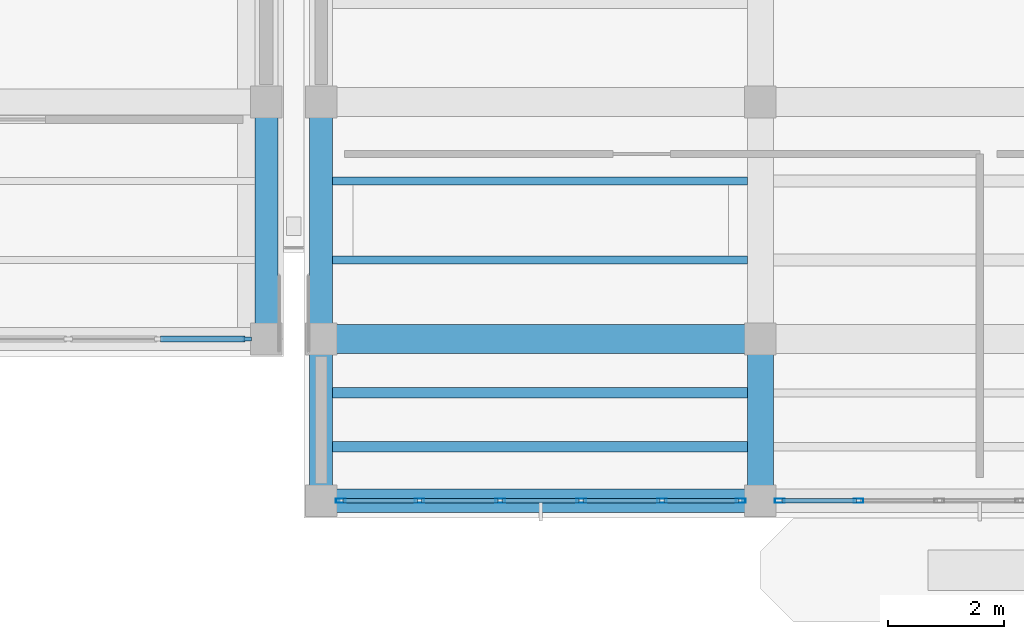
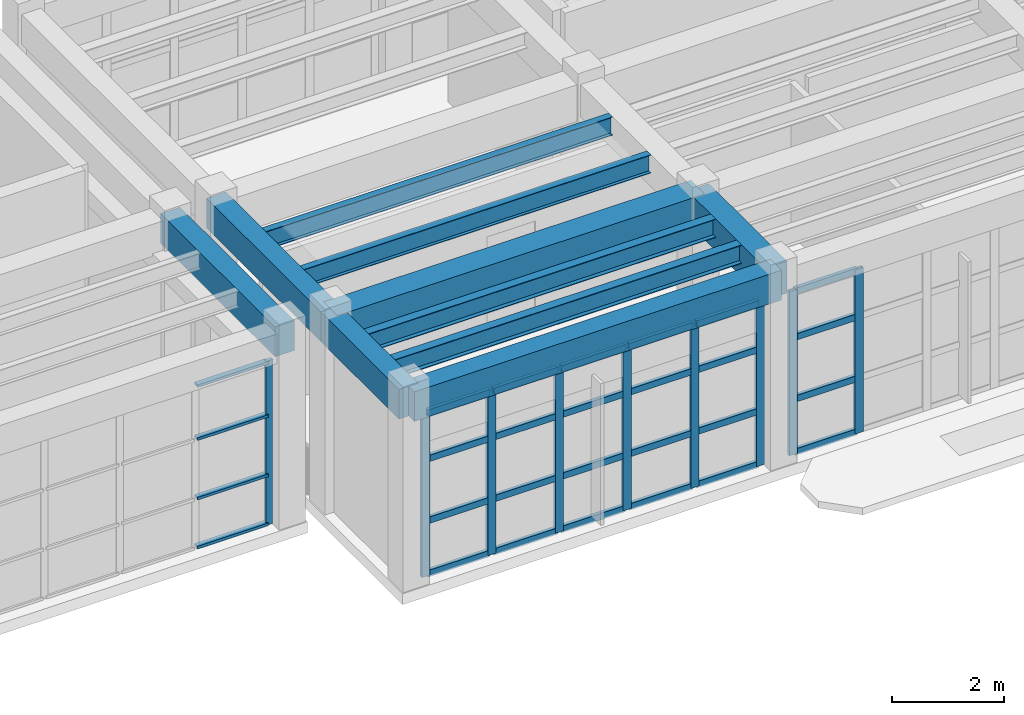
# One storey, part 21 of 85: 37 members, 10 beams, 3 elements without a shape of their own.
"""IFC4 building model written with IfcOpenShell, lengths in metres."""

import ifcopenshell
import ifcopenshell.guid

model = None  # the IFC model being written
_history = None  # IfcOwnerHistory: only IFC2X3 demands one
_inside = {}  # id of a spatial element -> (the spatial element, [elements in it])
_under = {}  # id of a project, library or spatial element -> (it, [spatial elements below it])
_declared = {}  # id of a project -> (the project, [libraries it declares])
_typed = {}  # id of a type object -> (the type object, [elements of that type])
_made_of = {}  # id of a material, layer set ... -> (it, [elements and type objects made of it])


def new_model(schema):
    """Start an empty IFC model of exactly this schema.

    Asked for "IFC4X3", IfcOpenShell would pick the latest addendum, in which some entities
    have other attributes; the version numbers below select the first issue.
    IFC2X3 requires an IfcOwnerHistory on every rooted entity: one is made here for all.
    """
    global model, _history
    if schema == "IFC4X3":
        model = ifcopenshell.file(schema_version=(4, 3, 0, 0))
    else:
        model = ifcopenshell.file(schema=schema)
    _inside.clear()
    _under.clear()
    _declared.clear()
    _typed.clear()
    _made_of.clear()
    _history = None
    if model.schema == "IFC2X3":
        org = make("IfcOrganization", Name="unknown")
        user = make(
            "IfcPersonAndOrganization",
            ThePerson=make("IfcPerson", FamilyName="unknown"),
            TheOrganization=org,
        )
        app = make(
            "IfcApplication",
            ApplicationDeveloper=org,
            Version="unknown",
            ApplicationFullName="unknown",
            ApplicationIdentifier="unknown",
        )
        _history = make(
            "IfcOwnerHistory",
            OwningUser=user,
            OwningApplication=app,
            ChangeAction="ADDED",
            CreationDate=0,
        )
    return model


def make(cls, **values):
    """One entity of the class cls with the attributes given. An attribute that is None is left unset."""
    return model.create_entity(
        cls, **{name: value for name, value in values.items() if value is not None}
    )


def rooted(cls, **values):
    """An entity with a GlobalId (a new one), such as an element, a storey or a relation."""
    return make(cls, GlobalId=ifcopenshell.guid.new(), OwnerHistory=_history, **values)


def si_unit(unit_type, name, prefix=None):
    """IfcSIUnit, for example si_unit("LENGTHUNIT", "METRE", prefix="MILLI")."""
    return make("IfcSIUnit", UnitType=unit_type, Prefix=prefix, Name=name)


def assignment(units):
    """IfcUnitAssignment: the units of a project."""
    return None if units is None else make("IfcUnitAssignment", Units=units)


def point(xyz):
    """IfcCartesianPoint."""
    return None if xyz is None else make("IfcCartesianPoint", Coordinates=xyz)


def direction(xyz):
    """IfcDirection."""
    return None if xyz is None else make("IfcDirection", DirectionRatios=xyz)


def frame(location, z_axis=None, x_axis=None):
    """IfcAxis2Placement3D, a coordinate frame: its origin and axes. An axis left out is left unset."""
    return make(
        "IfcAxis2Placement3D",
        Location=point(location),
        Axis=direction(z_axis),
        RefDirection=direction(x_axis),
    )


def frame_2d(location, x_axis=None):
    """IfcAxis2Placement2D, a coordinate frame in the plane: its origin and x axis."""
    return make(
        "IfcAxis2Placement2D", Location=point(location), RefDirection=direction(x_axis)
    )


def origin():
    """The frame at (0, 0, 0) with its axes left unset."""
    return frame((0.0, 0.0, 0.0))


def origin_2d():
    """The frame at (0, 0) in the plane with its x axis left unset."""
    return frame_2d((0.0, 0.0))


def place(relative_to, where):
    """IfcLocalPlacement: puts the frame where relative to a parent placement (None: the world)."""
    return make(
        "IfcLocalPlacement", PlacementRelTo=relative_to, RelativePlacement=where
    )


def context(
    kind, dimensions, precision=None, world=None, true_north=None, identifier=None
):
    """IfcGeometricRepresentationContext, for example the 3D "Model" context."""
    return make(
        "IfcGeometricRepresentationContext",
        ContextIdentifier=identifier,
        ContextType=kind,
        CoordinateSpaceDimension=dimensions,
        Precision=precision,
        WorldCoordinateSystem=world,
        TrueNorth=true_north,
    )


def subcontext(parent, identifier, kind, view, scale=None):
    """IfcGeometricRepresentationSubContext, for example "Body" below "Model"."""
    return make(
        "IfcGeometricRepresentationSubContext",
        ContextIdentifier=identifier,
        ContextType=kind,
        ParentContext=parent,
        TargetScale=scale,
        TargetView=view,
    )


def project(units=None, contexts=None):
    """IfcProject with its units and contexts."""
    return rooted(
        "IfcProject",
        Name="project",
        RepresentationContexts=contexts,
        UnitsInContext=assignment(units),
    )


def spatial(cls, under=None, at=None, **own):
    """A site, building, storey or space (cls), placed at a placement, below another one or the project."""
    s = rooted(cls, ObjectPlacement=at, **own)
    if under is not None:
        _under.setdefault(under.id(), (under, []))[1].append(s)
    return s


def profile(cls, at=None, kind="AREA", **sizes):
    """A parametric profile (cls). Its sizes go by their IFC names, for example OverallWidth=200.0."""
    return make(cls, ProfileType=kind, Position=at, **sizes)


def rectangle(**sizes):
    """IfcRectangleProfileDef."""
    return profile("IfcRectangleProfileDef", **sizes)


def hollow_rectangle(**sizes):
    """IfcRectangleHollowProfileDef."""
    return profile("IfcRectangleHollowProfileDef", **sizes)


def i_section(**sizes):
    """IfcIShapeProfileDef."""
    return profile("IfcIShapeProfileDef", **sizes)


def extrude(swept, where, along, depth):
    """IfcExtrudedAreaSolid: the profile swept, set in the frame where, extruded along a direction by depth."""
    return make(
        "IfcExtrudedAreaSolid",
        SweptArea=swept,
        Position=where,
        ExtrudedDirection=direction(along),
        Depth=depth,
    )


def shape(context_of_items, identifier, shape_type, items):
    """IfcShapeRepresentation: the items that make up one representation, for example the "Body"."""
    return make(
        "IfcShapeRepresentation",
        ContextOfItems=context_of_items,
        RepresentationIdentifier=identifier,
        RepresentationType=shape_type,
        Items=items,
    )


def material(Name=None, Category=None):
    """IfcMaterial."""
    return make("IfcMaterial", Name=Name, Category=Category)


def layer(
    of_material, thickness, ventilated=None, Name=None, Category=None, Priority=None
):
    """IfcMaterialLayer: one layer of a wall or slab, of a material (None: an air gap)."""
    return make(
        "IfcMaterialLayer",
        Material=of_material,
        LayerThickness=thickness,
        IsVentilated=ventilated,
        Name=Name,
        Category=Category,
        Priority=Priority,
    )


def layer_set(layers, Name=None):
    """IfcMaterialLayerSet."""
    return make("IfcMaterialLayerSet", MaterialLayers=layers, LayerSetName=Name)


def material_profile(
    of_material, cross_section, Name=None, Category=None, Priority=None
):
    """IfcMaterialProfile: a cross section and its material."""
    return make(
        "IfcMaterialProfile",
        Name=Name,
        Material=of_material,
        Profile=cross_section,
        Priority=Priority,
        Category=Category,
    )


def profile_set(profiles, Name=None, composite=None):
    """IfcMaterialProfileSet."""
    return make(
        "IfcMaterialProfileSet",
        Name=Name,
        MaterialProfiles=profiles,
        CompositeProfile=composite,
    )


def made_of(thing, what):
    """Note that an element or type object is made of a material, layer set ...; save() writes the relation."""
    if what is not None:
        _made_of.setdefault(what.id(), (what, []))[1].append(thing)
    return thing


def type_object(cls, material=None, **own):
    """A type object (cls), such as IfcWallType, which elements share."""
    return made_of(rooted(cls, **own), material)


def element(
    cls,
    number,
    at=None,
    inside=None,
    cuts=None,
    type_object=None,
    material=None,
    context=None,
    identifier="Body",
    shape_type=None,
    held_by="IfcProductDefinitionShape",
    body=None,
    shapes=None,
    **own,
):
    """One element of the class cls, such as IfcWall. Its Tag is "e" and its number.

    at: its placement. inside: the storey or other place that contains it. cuts: it is an
    opening in that element (IfcRelVoidsElement). A single representation is given by context,
    identifier, shape_type and body (its items); several are given by shapes. held_by: the class
    of the entity that holds the representations. save() writes the other relations.
    """
    e = rooted(cls, Tag="e%d" % number, ObjectPlacement=at, **own)
    if body is not None:
        shapes = [shape(context, identifier, shape_type, body)]
    if shapes is not None:
        e.Representation = make(held_by, Representations=shapes)
    if inside is not None:
        _inside.setdefault(inside.id(), (inside, []))[1].append(e)
    if cuts is not None:
        rooted(
            "IfcRelVoidsElement", RelatingBuildingElement=cuts, RelatedOpeningElement=e
        )
    if type_object is not None:
        _typed.setdefault(type_object.id(), (type_object, []))[1].append(e)
    return made_of(e, material)


def aggregate(whole, parts):
    """IfcRelAggregates: a whole, such as a stair, and the parts it consists of."""
    return rooted("IfcRelAggregates", RelatingObject=whole, RelatedObjects=parts)


def save(model, path):
    """Write the relations noted so far, then the file.

    IfcRelAggregates (storeys below a building ...), IfcRelContainedInSpatialStructure (elements
    in a storey), IfcRelDefinesByType, IfcRelAssociatesMaterial and IfcRelDeclares: one each for
    every whole, place, type object, material and project.
    """
    for whole, parts in _under.values():
        aggregate(whole, parts)
    for where, things in _inside.values():
        rooted(
            "IfcRelContainedInSpatialStructure",
            RelatedElements=things,
            RelatingStructure=where,
        )
    for kind, things in _typed.values():
        rooted("IfcRelDefinesByType", RelatedObjects=things, RelatingType=kind)
    for what, things in _made_of.values():
        rooted("IfcRelAssociatesMaterial", RelatedObjects=things, RelatingMaterial=what)
    for by, libraries in _declared.values():
        rooted("IfcRelDeclares", RelatingContext=by, RelatedDefinitions=libraries)
    model.write(path)


model = new_model("IFC4")

# Units and contexts
model_context = context("Model", 3, precision=1e-05, world=origin(), true_north=direction((0.0, 1.0)))
body_context = subcontext(model_context, "Body", "Model", "MODEL_VIEW")
ifc_project = project(units=[si_unit("LENGTHUNIT", "METRE"), si_unit("AREAUNIT", "SQUARE_METRE"), si_unit("VOLUMEUNIT", "CUBIC_METRE"), si_unit("PLANEANGLEUNIT", "RADIAN"), si_unit("MASSUNIT", "GRAM", prefix="KILO")], contexts=[model_context])

# Site, building, storey
site_placement = place(None, origin())
site = spatial("IfcSite", under=ifc_project, at=site_placement, CompositionType="ELEMENT")
building_placement = place(site_placement, origin())
building = spatial("IfcBuilding", under=site, at=building_placement, Name="Candilejo Ridge Gondola Terminal", CompositionType="ELEMENT")
storey_placement = place(building_placement, frame((0.0, 0.0, 4.5)))
storey = spatial("IfcBuildingStorey", under=building, at=storey_placement, Name="L01", CompositionType="ELEMENT", Elevation=4.5)

# Curtain wall, members
ifc_material_1 = material(Name="Anodised aluminium AA 6063-T6", Category="aluminium")
ifc_layer_1 = layer(ifc_material_1, 0.169921875)
ifc_layer_set_1 = layer_set([ifc_layer_1], Name="ARC-CW-CONCOURSE-3600-700X359")
curtain_wall_type_1 = type_object("IfcCurtainWallType", Name="ARC-CW-CONCOURSE-3600-700X359", PredefinedType="NOTDEFINED", material=ifc_layer_set_1)
curtain_wall_1_placement = place(storey_placement, origin())
curtain_wall_1 = element("IfcCurtainWall", 1, at=curtain_wall_1_placement, inside=storey, type_object=curtain_wall_type_1, Name="Curtain wall V3 L01-071", PredefinedType="NOTDEFINED")
ifc_material_2 = material(Name="Anodised aluminium AA 6063-T6", Category="aluminium")
ifc_material_profile_1 = material_profile(ifc_material_2, hollow_rectangle(XDim=0.074951171875, YDim=0.169921875, WallThickness=0.00390625, at=origin_2d()))
ifc_profile_set_1 = profile_set([ifc_material_profile_1], Name="Anodised aluminium AA 6063-T6")
member_type_1 = type_object("IfcMemberType", Name="ARC-CW-MULLION", PredefinedType="MULLION", material=ifc_profile_set_1)
member_1_placement = place(storey_placement, frame((87.33740234375, 22.89990234375, 0.0), z_axis=(0.0, 0.0, 1.0), x_axis=(0.0, 1.0, 0.0)))
member_1 = element("IfcMember", 2, at=member_1_placement, type_object=member_type_1, Name="CW-70X35 mullion 1", PredefinedType="MULLION", context=body_context, shape_type="SweptSolid", body=[
    extrude(hollow_rectangle(XDim=0.074951171875, YDim=0.169921875, WallThickness=0.00390625, at=origin_2d()), origin(), (0.0, 0.0, 1.0), 3.590087890625),
])
member_2_placement = place(storey_placement, frame((88.699951171875, 22.89990234375, 0.0), z_axis=(0.0, 0.0, 1.0), x_axis=(0.0, 1.0, 0.0)))
member_2 = element("IfcMember", 3, at=member_2_placement, type_object=member_type_1, Name="CW-70X35 mullion 2", PredefinedType="MULLION", context=body_context, shape_type="SweptSolid", body=[
    extrude(hollow_rectangle(XDim=0.074951171875, YDim=0.169921875, WallThickness=0.00390625, at=origin_2d()), origin(), (0.0, 0.0, 1.0), 3.590087890625),
])
member_3_placement = place(storey_placement, frame((90.10009765625, 22.89990234375, 0.0), z_axis=(0.0, 0.0, 1.0), x_axis=(0.0, 1.0, 0.0)))
member_3 = element("IfcMember", 4, at=member_3_placement, type_object=member_type_1, Name="CW-70X35 mullion 3", PredefinedType="MULLION", context=body_context, shape_type="SweptSolid", body=[
    extrude(hollow_rectangle(XDim=0.074951171875, YDim=0.169921875, WallThickness=0.00390625, at=origin_2d()), origin(), (0.0, 0.0, 1.0), 3.590087890625),
])
member_4_placement = place(storey_placement, frame((91.5, 22.89990234375, 0.0), z_axis=(0.0, 0.0, 1.0), x_axis=(0.0, 1.0, 0.0)))
member_4 = element("IfcMember", 5, at=member_4_placement, type_object=member_type_1, Name="CW-70X35 mullion 4", PredefinedType="MULLION", context=body_context, shape_type="SweptSolid", body=[
    extrude(hollow_rectangle(XDim=0.074951171875, YDim=0.169921875, WallThickness=0.00390625, at=origin_2d()), origin(), (0.0, 0.0, 1.0), 3.590087890625),
])
member_5_placement = place(storey_placement, frame((92.89990234375, 22.89990234375, 0.0), z_axis=(0.0, 0.0, 1.0), x_axis=(0.0, 1.0, 0.0)))
member_5 = element("IfcMember", 6, at=member_5_placement, type_object=member_type_1, Name="CW-70X35 mullion 5", PredefinedType="MULLION", context=body_context, shape_type="SweptSolid", body=[
    extrude(hollow_rectangle(XDim=0.074951171875, YDim=0.169921875, WallThickness=0.00390625, at=origin_2d()), origin(), (0.0, 0.0, 1.0), 3.590087890625),
])
member_6_placement = place(storey_placement, frame((94.262451171875, 22.89990234375, 0.0), z_axis=(0.0, 0.0, 1.0), x_axis=(0.0, 1.0, 0.0)))
member_6 = element("IfcMember", 7, at=member_6_placement, type_object=member_type_1, Name="CW-70X35 mullion 6", PredefinedType="MULLION", context=body_context, shape_type="SweptSolid", body=[
    extrude(hollow_rectangle(XDim=0.074951171875, YDim=0.169921875, WallThickness=0.00390625, at=origin_2d()), origin(), (0.0, 0.0, 1.0), 3.590087890625),
])

curtain_wall_2_placement = place(storey_placement, origin())
curtain_wall_2 = element("IfcCurtainWall", 8, at=curtain_wall_2_placement, inside=storey, type_object=curtain_wall_type_1, Name="Curtain wall V3 L01-073", PredefinedType="NOTDEFINED")
member_7_placement = place(storey_placement, frame((94.9375, 22.89990234375, 0.0), z_axis=(0.0, 0.0, 1.0), x_axis=(0.0, 1.0, 0.0)))
member_7 = element("IfcMember", 9, at=member_7_placement, type_object=member_type_1, Name="CW-70X35 mullion 1", PredefinedType="MULLION", context=body_context, shape_type="SweptSolid", body=[
    extrude(hollow_rectangle(XDim=0.074951171875, YDim=0.169921875, WallThickness=0.00390625, at=origin_2d()), origin(), (0.0, 0.0, 1.0), 3.590087890625),
])
member_8_placement = place(storey_placement, frame((96.300048828125, 22.89990234375, 0.0), z_axis=(0.0, 0.0, 1.0), x_axis=(0.0, 1.0, 0.0)))
member_8 = element("IfcMember", 10, at=member_8_placement, type_object=member_type_1, Name="CW-70X35 mullion 2", PredefinedType="MULLION", context=body_context, shape_type="SweptSolid", body=[
    extrude(hollow_rectangle(XDim=0.074951171875, YDim=0.169921875, WallThickness=0.00390625, at=origin_2d()), origin(), (0.0, 0.0, 1.0), 3.590087890625),
])

# Curtain wall, member
ifc_material_3 = material(Name="Anodised aluminium AA 6063-T6", Category="aluminium")
ifc_layer_2 = layer(ifc_material_3, 0.169921875)
ifc_layer_set_2 = layer_set([ifc_layer_2], Name="ARC-CW-DRUM-3400-625X359")
curtain_wall_type_2 = type_object("IfcCurtainWallType", Name="ARC-CW-DRUM-3400-625X359", PredefinedType="NOTDEFINED", material=ifc_layer_set_2)
curtain_wall_3_placement = place(storey_placement, origin())
curtain_wall_3 = element("IfcCurtainWall", 11, at=curtain_wall_3_placement, inside=storey, type_object=curtain_wall_type_2, Name="Curtain wall V2 L01-045", PredefinedType="NOTDEFINED")
ifc_material_4 = material(Name="Anodised aluminium AA 6063-T6", Category="aluminium")
ifc_material_profile_2 = material_profile(ifc_material_4, rectangle(XDim=0.06494140625, YDim=0.14990234375, at=origin_2d()))
ifc_profile_set_2 = profile_set([ifc_material_profile_2], Name="Anodised aluminium AA 6063-T6")
member_type_2 = type_object("IfcMemberType", Name="ARC-CW-MULLION-150", PredefinedType="MULLION", material=ifc_profile_set_2)
member_9_placement = place(storey_placement, frame((85.717529296875, 25.699951171875, 0.0), z_axis=(0.0, 0.0, 1.0), x_axis=(0.0, 1.0, 0.0)))
member_9 = element("IfcMember", 12, at=member_9_placement, type_object=member_type_2, Name="CW-62X35 mullion 5", PredefinedType="MULLION", context=body_context, shape_type="SweptSolid", body=[
    extrude(rectangle(XDim=0.06494140625, YDim=0.14990234375, at=origin_2d()), origin(), (0.0, 0.0, 1.0), 3.590087890625),
])

# Member
ifc_material_5 = material(Name="Anodised aluminium AA 6063-T6", Category="aluminium")
ifc_material_profile_3 = material_profile(ifc_material_5, hollow_rectangle(XDim=0.074951171875, YDim=0.139892578125, WallThickness=0.00390625, at=origin_2d()))
ifc_profile_set_3 = profile_set([ifc_material_profile_3], Name="Anodised aluminium AA 6063-T6")
member_type_3 = type_object("IfcMemberType", Name="ARC-CW-TRANSOM", PredefinedType="USERDEFINED", material=ifc_profile_set_3)
member_10_placement = place(storey_placement, frame((87.375, 22.89990234375, 0.03759765625), z_axis=(1.0, 0.0, 0.0), x_axis=(0.0, 1.0, 0.0)))
member_10 = element("IfcMember", 13, at=member_10_placement, type_object=member_type_3, Name="CW-70X35 transom 1.1", ObjectType="TRANSOM", PredefinedType="USERDEFINED", context=body_context, shape_type="SweptSolid", body=[
    extrude(hollow_rectangle(XDim=0.074951171875, YDim=0.139892578125, WallThickness=0.00390625, at=origin_2d()), origin(), (0.0, 0.0, 1.0), 1.28759765625),
])

member_11_placement = place(storey_placement, frame((87.375, 22.89990234375, 1.199951171875), z_axis=(1.0, 0.0, 0.0), x_axis=(0.0, 1.0, 0.0)))
member_11 = element("IfcMember", 14, at=member_11_placement, type_object=member_type_3, Name="CW-70X35 transom 1.2", ObjectType="TRANSOM", PredefinedType="USERDEFINED", context=body_context, shape_type="SweptSolid", body=[
    extrude(hollow_rectangle(XDim=0.074951171875, YDim=0.139892578125, WallThickness=0.00390625, at=origin_2d()), origin(), (0.0, 0.0, 1.0), 1.28759765625),
])

member_12_placement = place(storey_placement, frame((87.375, 22.89990234375, 2.550048828125), z_axis=(1.0, 0.0, 0.0), x_axis=(0.0, 1.0, 0.0)))
member_12 = element("IfcMember", 15, at=member_12_placement, type_object=member_type_3, Name="CW-70X35 transom 1.3", ObjectType="TRANSOM", PredefinedType="USERDEFINED", context=body_context, shape_type="SweptSolid", body=[
    extrude(hollow_rectangle(XDim=0.074951171875, YDim=0.139892578125, WallThickness=0.00390625, at=origin_2d()), origin(), (0.0, 0.0, 1.0), 1.28759765625),
])

member_13_placement = place(storey_placement, frame((87.375, 22.89990234375, 3.552490234375), z_axis=(1.0, 0.0, 0.0), x_axis=(0.0, 1.0, 0.0)))
member_13 = element("IfcMember", 16, at=member_13_placement, type_object=member_type_3, Name="CW-70X35 transom 1.4", ObjectType="TRANSOM", PredefinedType="USERDEFINED", context=body_context, shape_type="SweptSolid", body=[
    extrude(hollow_rectangle(XDim=0.074951171875, YDim=0.139892578125, WallThickness=0.00390625, at=origin_2d()), origin(), (0.0, 0.0, 1.0), 1.28759765625),
])

member_14_placement = place(storey_placement, frame((88.737548828125, 22.89990234375, 0.03759765625), z_axis=(1.0, 0.0, 0.0), x_axis=(0.0, 1.0, 0.0)))
member_14 = element("IfcMember", 17, at=member_14_placement, type_object=member_type_3, Name="CW-70X35 transom 2.1", ObjectType="TRANSOM", PredefinedType="USERDEFINED", context=body_context, shape_type="SweptSolid", body=[
    extrude(hollow_rectangle(XDim=0.074951171875, YDim=0.139892578125, WallThickness=0.00390625, at=origin_2d()), origin(), (0.0, 0.0, 1.0), 1.324951171875),
])

member_15_placement = place(storey_placement, frame((88.737548828125, 22.89990234375, 1.199951171875), z_axis=(1.0, 0.0, 0.0), x_axis=(0.0, 1.0, 0.0)))
member_15 = element("IfcMember", 18, at=member_15_placement, type_object=member_type_3, Name="CW-70X35 transom 2.2", ObjectType="TRANSOM", PredefinedType="USERDEFINED", context=body_context, shape_type="SweptSolid", body=[
    extrude(hollow_rectangle(XDim=0.074951171875, YDim=0.139892578125, WallThickness=0.00390625, at=origin_2d()), origin(), (0.0, 0.0, 1.0), 1.324951171875),
])

member_16_placement = place(storey_placement, frame((88.737548828125, 22.89990234375, 2.550048828125), z_axis=(1.0, 0.0, 0.0), x_axis=(0.0, 1.0, 0.0)))
member_16 = element("IfcMember", 19, at=member_16_placement, type_object=member_type_3, Name="CW-70X35 transom 2.3", ObjectType="TRANSOM", PredefinedType="USERDEFINED", context=body_context, shape_type="SweptSolid", body=[
    extrude(hollow_rectangle(XDim=0.074951171875, YDim=0.139892578125, WallThickness=0.00390625, at=origin_2d()), origin(), (0.0, 0.0, 1.0), 1.324951171875),
])

member_17_placement = place(storey_placement, frame((88.737548828125, 22.89990234375, 3.552490234375), z_axis=(1.0, 0.0, 0.0), x_axis=(0.0, 1.0, 0.0)))
member_17 = element("IfcMember", 20, at=member_17_placement, type_object=member_type_3, Name="CW-70X35 transom 2.4", ObjectType="TRANSOM", PredefinedType="USERDEFINED", context=body_context, shape_type="SweptSolid", body=[
    extrude(hollow_rectangle(XDim=0.074951171875, YDim=0.139892578125, WallThickness=0.00390625, at=origin_2d()), origin(), (0.0, 0.0, 1.0), 1.324951171875),
])

member_18_placement = place(storey_placement, frame((90.137451171875, 22.89990234375, 0.03759765625), z_axis=(1.0, 0.0, 0.0), x_axis=(0.0, 1.0, 0.0)))
member_18 = element("IfcMember", 21, at=member_18_placement, type_object=member_type_3, Name="CW-70X35 transom 3.1", ObjectType="TRANSOM", PredefinedType="USERDEFINED", context=body_context, shape_type="SweptSolid", body=[
    extrude(hollow_rectangle(XDim=0.074951171875, YDim=0.139892578125, WallThickness=0.00390625, at=origin_2d()), origin(), (0.0, 0.0, 1.0), 1.324951171875),
])

member_19_placement = place(storey_placement, frame((90.137451171875, 22.89990234375, 1.199951171875), z_axis=(1.0, 0.0, 0.0), x_axis=(0.0, 1.0, 0.0)))
member_19 = element("IfcMember", 22, at=member_19_placement, type_object=member_type_3, Name="CW-70X35 transom 3.2", ObjectType="TRANSOM", PredefinedType="USERDEFINED", context=body_context, shape_type="SweptSolid", body=[
    extrude(hollow_rectangle(XDim=0.074951171875, YDim=0.139892578125, WallThickness=0.00390625, at=origin_2d()), origin(), (0.0, 0.0, 1.0), 1.324951171875),
])

member_20_placement = place(storey_placement, frame((90.137451171875, 22.89990234375, 2.550048828125), z_axis=(1.0, 0.0, 0.0), x_axis=(0.0, 1.0, 0.0)))
member_20 = element("IfcMember", 23, at=member_20_placement, type_object=member_type_3, Name="CW-70X35 transom 3.3", ObjectType="TRANSOM", PredefinedType="USERDEFINED", context=body_context, shape_type="SweptSolid", body=[
    extrude(hollow_rectangle(XDim=0.074951171875, YDim=0.139892578125, WallThickness=0.00390625, at=origin_2d()), origin(), (0.0, 0.0, 1.0), 1.324951171875),
])

member_21_placement = place(storey_placement, frame((90.137451171875, 22.89990234375, 3.552490234375), z_axis=(1.0, 0.0, 0.0), x_axis=(0.0, 1.0, 0.0)))
member_21 = element("IfcMember", 24, at=member_21_placement, type_object=member_type_3, Name="CW-70X35 transom 3.4", ObjectType="TRANSOM", PredefinedType="USERDEFINED", context=body_context, shape_type="SweptSolid", body=[
    extrude(hollow_rectangle(XDim=0.074951171875, YDim=0.139892578125, WallThickness=0.00390625, at=origin_2d()), origin(), (0.0, 0.0, 1.0), 1.324951171875),
])

member_22_placement = place(storey_placement, frame((91.53759765625, 22.89990234375, 0.03759765625), z_axis=(1.0, 0.0, 0.0), x_axis=(0.0, 1.0, 0.0)))
member_22 = element("IfcMember", 25, at=member_22_placement, type_object=member_type_3, Name="CW-70X35 transom 4.1", ObjectType="TRANSOM", PredefinedType="USERDEFINED", context=body_context, shape_type="SweptSolid", body=[
    extrude(hollow_rectangle(XDim=0.074951171875, YDim=0.139892578125, WallThickness=0.00390625, at=origin_2d()), origin(), (0.0, 0.0, 1.0), 1.324951171875),
])

member_23_placement = place(storey_placement, frame((91.53759765625, 22.89990234375, 1.199951171875), z_axis=(1.0, 0.0, 0.0), x_axis=(0.0, 1.0, 0.0)))
member_23 = element("IfcMember", 26, at=member_23_placement, type_object=member_type_3, Name="CW-70X35 transom 4.2", ObjectType="TRANSOM", PredefinedType="USERDEFINED", context=body_context, shape_type="SweptSolid", body=[
    extrude(hollow_rectangle(XDim=0.074951171875, YDim=0.139892578125, WallThickness=0.00390625, at=origin_2d()), origin(), (0.0, 0.0, 1.0), 1.324951171875),
])

member_24_placement = place(storey_placement, frame((91.53759765625, 22.89990234375, 2.550048828125), z_axis=(1.0, 0.0, 0.0), x_axis=(0.0, 1.0, 0.0)))
member_24 = element("IfcMember", 27, at=member_24_placement, type_object=member_type_3, Name="CW-70X35 transom 4.3", ObjectType="TRANSOM", PredefinedType="USERDEFINED", context=body_context, shape_type="SweptSolid", body=[
    extrude(hollow_rectangle(XDim=0.074951171875, YDim=0.139892578125, WallThickness=0.00390625, at=origin_2d()), origin(), (0.0, 0.0, 1.0), 1.324951171875),
])

member_25_placement = place(storey_placement, frame((91.53759765625, 22.89990234375, 3.552490234375), z_axis=(1.0, 0.0, 0.0), x_axis=(0.0, 1.0, 0.0)))
member_25 = element("IfcMember", 28, at=member_25_placement, type_object=member_type_3, Name="CW-70X35 transom 4.4", ObjectType="TRANSOM", PredefinedType="USERDEFINED", context=body_context, shape_type="SweptSolid", body=[
    extrude(hollow_rectangle(XDim=0.074951171875, YDim=0.139892578125, WallThickness=0.00390625, at=origin_2d()), origin(), (0.0, 0.0, 1.0), 1.324951171875),
])

member_26_placement = place(storey_placement, frame((92.9375, 22.89990234375, 0.03759765625), z_axis=(1.0, 0.0, 0.0), x_axis=(0.0, 1.0, 0.0)))
member_26 = element("IfcMember", 29, at=member_26_placement, type_object=member_type_3, Name="CW-70X35 transom 5.1", ObjectType="TRANSOM", PredefinedType="USERDEFINED", context=body_context, shape_type="SweptSolid", body=[
    extrude(hollow_rectangle(XDim=0.074951171875, YDim=0.139892578125, WallThickness=0.00390625, at=origin_2d()), origin(), (0.0, 0.0, 1.0), 1.28759765625),
])

member_27_placement = place(storey_placement, frame((92.9375, 22.89990234375, 1.199951171875), z_axis=(1.0, 0.0, 0.0), x_axis=(0.0, 1.0, 0.0)))
member_27 = element("IfcMember", 30, at=member_27_placement, type_object=member_type_3, Name="CW-70X35 transom 5.2", ObjectType="TRANSOM", PredefinedType="USERDEFINED", context=body_context, shape_type="SweptSolid", body=[
    extrude(hollow_rectangle(XDim=0.074951171875, YDim=0.139892578125, WallThickness=0.00390625, at=origin_2d()), origin(), (0.0, 0.0, 1.0), 1.28759765625),
])

member_28_placement = place(storey_placement, frame((92.9375, 22.89990234375, 2.550048828125), z_axis=(1.0, 0.0, 0.0), x_axis=(0.0, 1.0, 0.0)))
member_28 = element("IfcMember", 31, at=member_28_placement, type_object=member_type_3, Name="CW-70X35 transom 5.3", ObjectType="TRANSOM", PredefinedType="USERDEFINED", context=body_context, shape_type="SweptSolid", body=[
    extrude(hollow_rectangle(XDim=0.074951171875, YDim=0.139892578125, WallThickness=0.00390625, at=origin_2d()), origin(), (0.0, 0.0, 1.0), 1.28759765625),
])

member_29_placement = place(storey_placement, frame((92.9375, 22.89990234375, 3.552490234375), z_axis=(1.0, 0.0, 0.0), x_axis=(0.0, 1.0, 0.0)))
member_29 = element("IfcMember", 32, at=member_29_placement, type_object=member_type_3, Name="CW-70X35 transom 5.4", ObjectType="TRANSOM", PredefinedType="USERDEFINED", context=body_context, shape_type="SweptSolid", body=[
    extrude(hollow_rectangle(XDim=0.074951171875, YDim=0.139892578125, WallThickness=0.00390625, at=origin_2d()), origin(), (0.0, 0.0, 1.0), 1.28759765625),
])

aggregate(curtain_wall_1, [member_1, member_2, member_3, member_4, member_5, member_6, member_10, member_11, member_12, member_13, member_14, member_15, member_16, member_17, member_18, member_19, member_20, member_21, member_22, member_23, member_24, member_25, member_26, member_27, member_28, member_29])

member_30_placement = place(storey_placement, frame((94.97509765625, 22.89990234375, 0.03759765625), z_axis=(1.0, 0.0, 0.0), x_axis=(0.0, 1.0, 0.0)))
member_30 = element("IfcMember", 33, at=member_30_placement, type_object=member_type_3, Name="CW-70X35 transom 1.1", ObjectType="TRANSOM", PredefinedType="USERDEFINED", context=body_context, shape_type="SweptSolid", body=[
    extrude(hollow_rectangle(XDim=0.074951171875, YDim=0.139892578125, WallThickness=0.00390625, at=origin_2d()), origin(), (0.0, 0.0, 1.0), 1.287353515625),
])

member_31_placement = place(storey_placement, frame((94.97509765625, 22.89990234375, 1.199951171875), z_axis=(1.0, 0.0, 0.0), x_axis=(0.0, 1.0, 0.0)))
member_31 = element("IfcMember", 34, at=member_31_placement, type_object=member_type_3, Name="CW-70X35 transom 1.2", ObjectType="TRANSOM", PredefinedType="USERDEFINED", context=body_context, shape_type="SweptSolid", body=[
    extrude(hollow_rectangle(XDim=0.074951171875, YDim=0.139892578125, WallThickness=0.00390625, at=origin_2d()), origin(), (0.0, 0.0, 1.0), 1.287353515625),
])

member_32_placement = place(storey_placement, frame((94.97509765625, 22.89990234375, 2.550048828125), z_axis=(1.0, 0.0, 0.0), x_axis=(0.0, 1.0, 0.0)))
member_32 = element("IfcMember", 35, at=member_32_placement, type_object=member_type_3, Name="CW-70X35 transom 1.3", ObjectType="TRANSOM", PredefinedType="USERDEFINED", context=body_context, shape_type="SweptSolid", body=[
    extrude(hollow_rectangle(XDim=0.074951171875, YDim=0.139892578125, WallThickness=0.00390625, at=origin_2d()), origin(), (0.0, 0.0, 1.0), 1.287353515625),
])

member_33_placement = place(storey_placement, frame((94.97509765625, 22.89990234375, 3.552490234375), z_axis=(1.0, 0.0, 0.0), x_axis=(0.0, 1.0, 0.0)))
member_33 = element("IfcMember", 36, at=member_33_placement, type_object=member_type_3, Name="CW-70X35 transom 1.4", ObjectType="TRANSOM", PredefinedType="USERDEFINED", context=body_context, shape_type="SweptSolid", body=[
    extrude(hollow_rectangle(XDim=0.074951171875, YDim=0.139892578125, WallThickness=0.00390625, at=origin_2d()), origin(), (0.0, 0.0, 1.0), 1.287353515625),
])

aggregate(curtain_wall_2, [member_7, member_8, member_30, member_31, member_32, member_33])

ifc_material_6 = material(Name="Anodised aluminium AA 6063-T6", Category="aluminium")
ifc_material_profile_4 = material_profile(ifc_material_6, rectangle(XDim=0.110107421875, YDim=0.06005859375, at=origin_2d()))
ifc_profile_set_4 = profile_set([ifc_material_profile_4], Name="Anodised aluminium AA 6063-T6")
member_type_4 = type_object("IfcMemberType", Name="ARC-CW-TRANSOM-110", PredefinedType="USERDEFINED", material=ifc_profile_set_4)
member_34_placement = place(storey_placement, frame((84.219970703125, 25.699951171875, 0.030029296875), z_axis=(1.0, 0.0, 0.0), x_axis=(0.0, 1.0, 0.0)))
member_34 = element("IfcMember", 37, at=member_34_placement, type_object=member_type_4, Name="CW-62X35 transom 4.1", ObjectType="TRANSOM", PredefinedType="USERDEFINED", context=body_context, shape_type="SweptSolid", body=[
    extrude(rectangle(XDim=0.110107421875, YDim=0.06005859375, at=origin_2d()), origin(), (0.0, 0.0, 1.0), 1.465087890625),
])

member_35_placement = place(storey_placement, frame((84.219970703125, 25.699951171875, 1.10009765625), z_axis=(1.0, 0.0, 0.0), x_axis=(0.0, 1.0, 0.0)))
member_35 = element("IfcMember", 38, at=member_35_placement, type_object=member_type_4, Name="CW-62X35 transom 4.2", ObjectType="TRANSOM", PredefinedType="USERDEFINED", context=body_context, shape_type="SweptSolid", body=[
    extrude(rectangle(XDim=0.110107421875, YDim=0.06005859375, at=origin_2d()), origin(), (0.0, 0.0, 1.0), 1.465087890625),
])

member_36_placement = place(storey_placement, frame((84.219970703125, 25.699951171875, 2.39990234375), z_axis=(1.0, 0.0, 0.0), x_axis=(0.0, 1.0, 0.0)))
member_36 = element("IfcMember", 39, at=member_36_placement, type_object=member_type_4, Name="CW-62X35 transom 4.3", ObjectType="TRANSOM", PredefinedType="USERDEFINED", context=body_context, shape_type="SweptSolid", body=[
    extrude(rectangle(XDim=0.110107421875, YDim=0.06005859375, at=origin_2d()), origin(), (0.0, 0.0, 1.0), 1.465087890625),
])

member_37_placement = place(storey_placement, frame((84.219970703125, 25.699951171875, 3.56005859375), z_axis=(1.0, 0.0, 0.0), x_axis=(0.0, 1.0, 0.0)))
member_37 = element("IfcMember", 40, at=member_37_placement, type_object=member_type_4, Name="CW-62X35 transom 4.4", ObjectType="TRANSOM", PredefinedType="USERDEFINED", context=body_context, shape_type="SweptSolid", body=[
    extrude(rectangle(XDim=0.110107421875, YDim=0.06005859375, at=origin_2d()), origin(), (0.0, 0.0, 1.0), 1.465087890625),
])

aggregate(curtain_wall_3, [member_9, member_34, member_35, member_36, member_37])

# Beams
ifc_material_7 = material(Name="Concrete f'c 35 MPa (C35/45)", Category="concrete")
ifc_material_profile_5 = material_profile(ifc_material_7, rectangle(XDim=0.449951171875, YDim=0.699951171875, at=origin_2d()))
ifc_profile_set_5 = profile_set([ifc_material_profile_5], Name="Concrete f'c 35 MPa (C35/45)")
beam_type_1 = type_object("IfcBeamType", Name="STR-BM-RC450X700", PredefinedType="BEAM", material=ifc_profile_set_5)
beam_1_placement = place(storey_placement, frame((94.60009765625, 22.89990234375, 3.89990234375), z_axis=(0.0, 1.0, 0.0), x_axis=(-1.0, 0.0, 0.0)))
element("IfcBeam", 41, at=beam_1_placement, inside=storey, type_object=beam_type_1, Name="Beam Y V3 L01 Y04-Y05@X15", PredefinedType="BEAM", context=body_context, shape_type="SweptSolid", body=[
    extrude(rectangle(XDim=0.449951171875, YDim=0.699951171875, at=origin_2d()), origin(), (0.0, 0.0, 1.0), 2.800048828125),
])
ifc_material_8 = material(Name="Concrete f'c 35 MPa (C35/45)", Category="concrete")
ifc_material_profile_6 = material_profile(ifc_material_8, rectangle(XDim=0.5, YDim=0.800048828125, at=origin_2d()))
ifc_profile_set_6 = profile_set([ifc_material_profile_6], Name="Concrete f'c 35 MPa (C35/45)")
beam_type_2 = type_object("IfcBeamType", Name="STR-BM-RC500X800", PredefinedType="BEAM", material=ifc_profile_set_6)
beam_2_placement = place(storey_placement, frame((87.0, 25.699951171875, 3.85009765625), z_axis=(1.0, 0.0, 0.0), x_axis=(0.0, 1.0, 0.0)))
element("IfcBeam", 42, at=beam_2_placement, inside=storey, type_object=beam_type_2, Name="Beam X V3 L01 X14-X15@Y05", PredefinedType="BEAM", context=body_context, shape_type="SweptSolid", body=[
    extrude(rectangle(XDim=0.5, YDim=0.800048828125, at=origin_2d()), origin(), (0.0, 0.0, 1.0), 7.60009765625),
])
ifc_material_9 = material(Name="Steel ASTM A992 Grade 50", Category="steel")
ifc_material_profile_7 = material_profile(ifc_material_9, i_section(OverallWidth=0.139892578125, OverallDepth=0.403076171875, WebThickness=0.007080078125, FlangeThickness=0.01123046875, at=origin_2d()))
ifc_profile_set_7 = profile_set([ifc_material_profile_7], Name="Steel ASTM A992 Grade 50")
beam_type_3 = type_object("IfcBeamType", Name="STR-JST-W410X46", PredefinedType="JOIST", material=ifc_profile_set_7)
for number, where, z_axis, x_axis, name in (
    (43, (87.199951171875, 27.066650390625, 4.048583984375), (1.0, 0.0, 0.0), (0.0, 1.0, 0.0), "Composite joist V3 L01-0481"),
    (44, (87.199951171875, 28.433349609375, 4.048583984375), (1.0, 0.0, 0.0), (0.0, 1.0, 0.0), "Composite joist V3 L01-0482"),
):
    element("IfcBeam", number, at=place(storey_placement, frame(where, z_axis=z_axis, x_axis=x_axis)), inside=storey, type_object=beam_type_3, Name=name, PredefinedType="JOIST", context=body_context, shape_type="SweptSolid", body=[
        extrude(i_section(OverallWidth=0.139892578125, OverallDepth=0.403076171875, WebThickness=0.007080078125, FlangeThickness=0.01123046875, at=origin_2d()), origin(), (0.0, 0.0, 1.0), 7.175048828125),
    ])
ifc_material_10 = material(Name="Steel ASTM A992 Grade 50", Category="steel")
ifc_material_profile_8 = material_profile(ifc_material_10, i_section(OverallWidth=0.177978515625, OverallDepth=0.406982421875, WebThickness=0.0078125, FlangeThickness=0.0126953125, at=origin_2d()))
ifc_profile_set_8 = profile_set([ifc_material_profile_8], Name="Steel ASTM A992 Grade 50")
beam_type_4 = type_object("IfcBeamType", Name="STR-JST-W410X60", PredefinedType="JOIST", material=ifc_profile_set_8)
for number, where, z_axis, x_axis, name in (
    (45, (87.199951171875, 23.833251953125, 4.04638671875), (1.0, 0.0, 0.0), (0.0, 1.0, 0.0), "Composite joist V3 L01-0479"),
    (46, (87.199951171875, 24.7666015625, 4.04638671875), (1.0, 0.0, 0.0), (0.0, 1.0, 0.0), "Composite joist V3 L01-0480"),
):
    element("IfcBeam", number, at=place(storey_placement, frame(where, z_axis=z_axis, x_axis=x_axis)), inside=storey, type_object=beam_type_4, Name=name, PredefinedType="JOIST", context=body_context, shape_type="SweptSolid", body=[
        extrude(i_section(OverallWidth=0.177978515625, OverallDepth=0.406982421875, WebThickness=0.0078125, FlangeThickness=0.0126953125, at=origin_2d()), origin(), (0.0, 0.0, 1.0), 7.175048828125),
    ])
ifc_material_11 = material(Name="Concrete f'c 35 MPa (C35/45)", Category="concrete")
ifc_material_profile_9 = material_profile(ifc_material_11, rectangle(XDim=0.39990234375, YDim=0.64990234375, at=origin_2d()))
ifc_profile_set_9 = profile_set([ifc_material_profile_9], Name="Concrete f'c 35 MPa (C35/45)")
beam_type_5 = type_object("IfcBeamType", Name="STR-SPN-RC400X650", PredefinedType="SPANDREL", material=ifc_profile_set_9)
beam_3_placement = place(storey_placement, frame((86.050048828125, 25.699951171875, 3.925048828125), z_axis=(0.0, 1.0, 0.0), x_axis=(-1.0, 0.0, 0.0)))
element("IfcBeam", 47, at=beam_3_placement, inside=storey, type_object=beam_type_5, Name="Beam Y V2 L01 Y05-Y06@X13", PredefinedType="SPANDREL", context=body_context, shape_type="SweptSolid", body=[
    extrude(rectangle(XDim=0.39990234375, YDim=0.64990234375, at=origin_2d()), origin(), (0.0, 0.0, 1.0), 4.10009765625),
])
beam_4_placement = place(storey_placement, frame((87.0, 22.89990234375, 3.925048828125), z_axis=(1.0, 0.0, 0.0), x_axis=(0.0, 1.0, 0.0)))
element("IfcBeam", 48, at=beam_4_placement, inside=storey, type_object=beam_type_5, Name="Beam X V3 L01 X14-X15@Y04", PredefinedType="SPANDREL", context=body_context, shape_type="SweptSolid", body=[
    extrude(rectangle(XDim=0.39990234375, YDim=0.64990234375, at=origin_2d()), origin(), (0.0, 0.0, 1.0), 7.60009765625),
])
beam_5_placement = place(storey_placement, frame((87.0, 22.89990234375, 3.925048828125), z_axis=(0.0, 1.0, 0.0), x_axis=(-1.0, 0.0, 0.0)))
element("IfcBeam", 49, at=beam_5_placement, inside=storey, type_object=beam_type_5, Name="Beam Y V3 L01 Y04-Y05@X14", PredefinedType="SPANDREL", context=body_context, shape_type="SweptSolid", body=[
    extrude(rectangle(XDim=0.39990234375, YDim=0.64990234375, at=origin_2d()), origin(), (0.0, 0.0, 1.0), 2.800048828125),
])
beam_6_placement = place(storey_placement, frame((87.0, 25.699951171875, 3.925048828125), z_axis=(0.0, 1.0, 0.0), x_axis=(-1.0, 0.0, 0.0)))
element("IfcBeam", 50, at=beam_6_placement, inside=storey, type_object=beam_type_5, Name="Beam Y V3 L01 Y05-Y06@X14", PredefinedType="SPANDREL", context=body_context, shape_type="SweptSolid", body=[
    extrude(rectangle(XDim=0.39990234375, YDim=0.64990234375, at=origin_2d()), origin(), (0.0, 0.0, 1.0), 4.10009765625),
])

save(model, "model.ifc")
